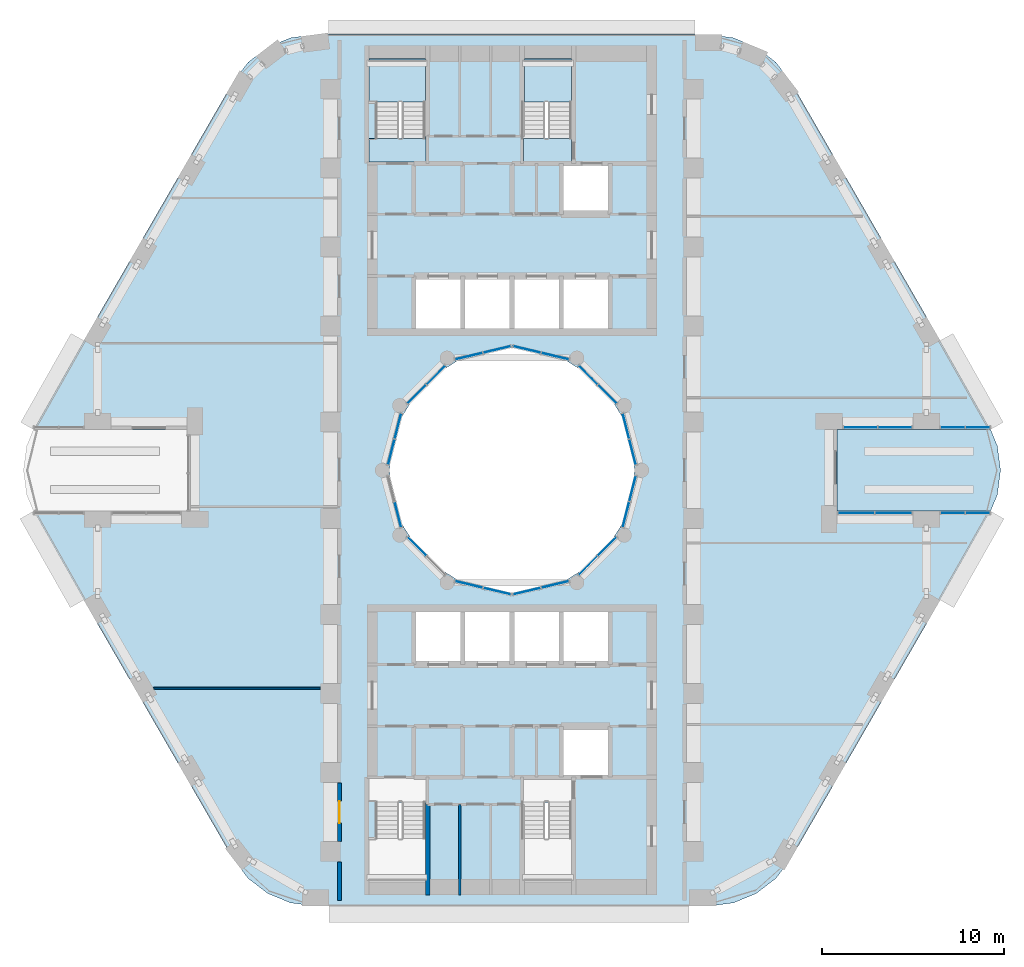
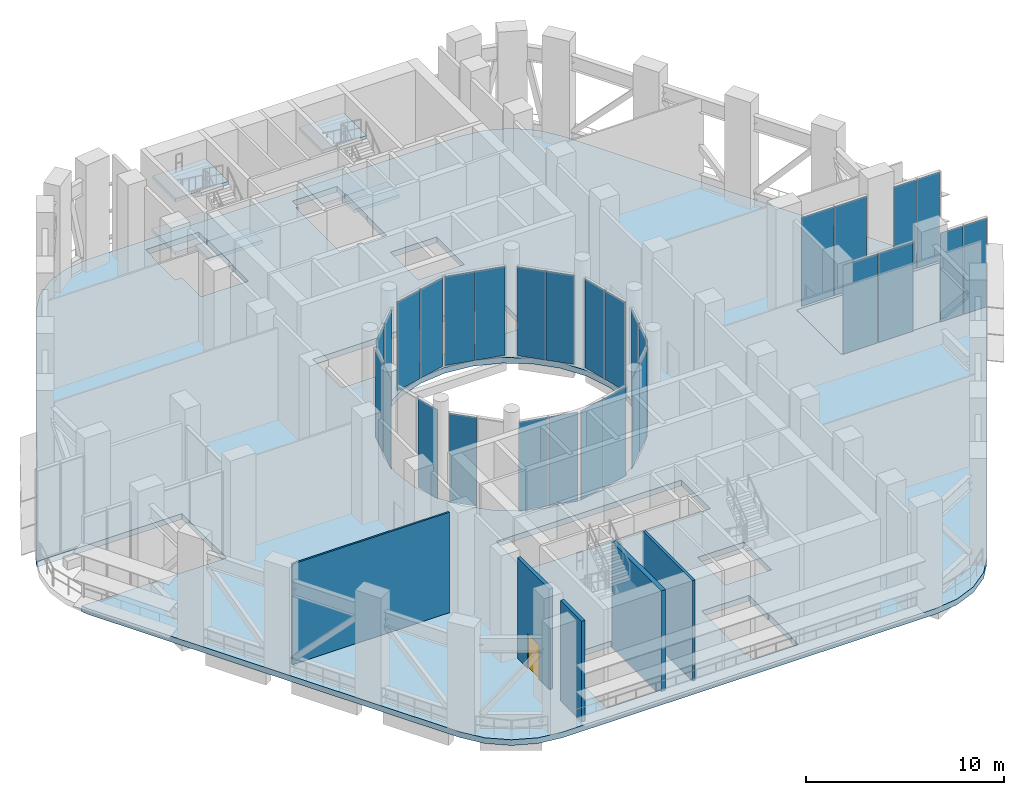
# One storey, part 7 of 20: 30 plates, 8 slabs, 5 walls, 1 door, 1 opening, 18 elements without a shape of their own.
"""IFC4 building model written with IfcOpenShell, lengths in metres."""

from ifc_helpers import new_model, si_unit, direction, frame, frame_2d, origin, origin_2d, place, context, subcontext, project, spatial, polyline, rectangle, outline, extrude, material, layer, layer_set, type_object, element, fill, aggregate, save


model = new_model("IFC4")

# Units and contexts
model_context = context("Model", 3, precision=1e-05, world=origin(), true_north=direction((0.0, 1.0)))
body_context = subcontext(model_context, "Body", "Model", "MODEL_VIEW")
ifc_project = project(units=[si_unit("LENGTHUNIT", "METRE"), si_unit("AREAUNIT", "SQUARE_METRE"), si_unit("VOLUMEUNIT", "CUBIC_METRE"), si_unit("PLANEANGLEUNIT", "RADIAN"), si_unit("MASSUNIT", "GRAM", prefix="KILO")], contexts=[model_context])

# Site, building, storey
site_placement = place(None, origin())
site = spatial("IfcSite", under=ifc_project, at=site_placement, CompositionType="ELEMENT")
building_placement = place(site_placement, origin())
building = spatial("IfcBuilding", under=site, at=building_placement, Name="Nakaniwa Court", CompositionType="ELEMENT")
storey_placement = place(building_placement, frame((0.0, 0.0, 71.10009765625)))
storey = spatial("IfcBuildingStorey", under=building, at=storey_placement, Name="S1", CompositionType="ELEMENT", Elevation=71.10009765625)

# Curtain wall, plates
ifc_material_1 = material(Name="Black anodised aluminium frame with dark low-E laminated double glazing", Category="aluminium")
ifc_layer_1 = layer(ifc_material_1, 0.199951171875)
ifc_layer_set_1 = layer_set([ifc_layer_1], Name="Black anodised aluminium frame with dark low-E laminated double glazing")
curtain_wall_type = type_object("IfcCurtainWallType", Name="Amenity and sky level curtain wall", PredefinedType="NOTDEFINED", material=ifc_layer_set_1)
curtain_wall_1_placement = place(storey_placement, origin())
curtain_wall_1 = element("IfcCurtainWall", 1, at=curtain_wall_1_placement, inside=storey, type_object=curtain_wall_type, Name="S1 curtain wall CW3 36", PredefinedType="NOTDEFINED")
ifc_material_2 = material(Name="Dark toughened glass", Category="glass")
ifc_layer_2 = layer(ifc_material_2, 0.006, Name="Outer pane")
ifc_material_3 = material(Name="Argon filled cavity")
ifc_layer_3 = layer(ifc_material_3, 0.016, Name="Cavity")
ifc_material_4 = material(Name="Dark laminated safety glass", Category="glass")
ifc_layer_4 = layer(ifc_material_4, 0.006, Name="Inner pane")
ifc_layer_set_2 = layer_set([ifc_layer_2, ifc_layer_3, ifc_layer_4], Name="Dark low-E laminated double glazing")
plate_type = type_object("IfcPlateType", Name="Amenity and sky level curtain wall glass panel", PredefinedType="CURTAIN_PANEL", material=ifc_layer_set_2)
plate_1_placement = place(storey_placement, frame((86.64697265625, 78.99365234375, 0.054931640625), z_axis=(0.0, 0.0, 1.0), x_axis=(-0.247113807661, -0.968986463302, 0.0)))
plate_1 = element("IfcPlate", 2, at=plate_1_placement, type_object=plate_type, Name="CW3 panel 1.1", PredefinedType="CURTAIN_PANEL", context=body_context, shape_type="SweptSolid", body=[
    extrude(rectangle(XDim=1.42236328125, YDim=0.028076171875, at=origin_2d()), origin(), (0.0, 0.0, 1.0), 5.47998046875),
])
plate_2_placement = place(storey_placement, frame((86.28173828125, 77.56201171875, 0.054931640625), z_axis=(0.0, 0.0, 1.0), x_axis=(-0.247113807661, -0.968986463302, 0.0)))
plate_2 = element("IfcPlate", 3, at=plate_2_placement, type_object=plate_type, Name="CW3 panel 2.1", PredefinedType="CURTAIN_PANEL", context=body_context, shape_type="SweptSolid", body=[
    extrude(rectangle(XDim=1.42236328125, YDim=0.028076171875, at=origin_2d()), origin(), (0.0, 0.0, 1.0), 5.47998046875),
])
aggregate(curtain_wall_1, [plate_1, plate_2])

curtain_wall_2_placement = place(storey_placement, origin())
curtain_wall_2 = element("IfcCurtainWall", 4, at=curtain_wall_2_placement, inside=storey, type_object=curtain_wall_type, Name="S1 curtain wall CW3 37", PredefinedType="NOTDEFINED")
plate_3_placement = place(storey_placement, frame((85.241943359375, 75.810791015625, 0.054931640625), z_axis=(0.0, 0.0, 1.0), x_axis=(-0.707106781187, -0.707106781187, 0.0)))
plate_3 = element("IfcPlate", 5, at=plate_3_placement, type_object=plate_type, Name="CW3 panel 1.1", PredefinedType="CURTAIN_PANEL", context=body_context, shape_type="SweptSolid", body=[
    extrude(rectangle(XDim=1.43408203125, YDim=0.028076171875, at=origin_2d()), origin(), (0.0, 0.0, 1.0), 5.47998046875),
])
plate_4_placement = place(storey_placement, frame((84.189208984375, 74.758056640625, 0.054931640625), z_axis=(0.0, 0.0, 1.0), x_axis=(-0.707106781187, -0.707106781187, 0.0)))
plate_4 = element("IfcPlate", 6, at=plate_4_placement, type_object=plate_type, Name="CW3 panel 2.1", PredefinedType="CURTAIN_PANEL", context=body_context, shape_type="SweptSolid", body=[
    extrude(rectangle(XDim=1.43408203125, YDim=0.028076171875, at=origin_2d()), origin(), (0.0, 0.0, 1.0), 5.47998046875),
])
aggregate(curtain_wall_2, [plate_3, plate_4])

curtain_wall_3_placement = place(storey_placement, origin())
curtain_wall_3 = element("IfcCurtainWall", 7, at=curtain_wall_3_placement, inside=storey, type_object=curtain_wall_type, Name="S1 curtain wall CW3 38", PredefinedType="NOTDEFINED")
plate_5_placement = place(storey_placement, frame((82.377685546875, 73.713623046875, 0.054931640625), z_axis=(0.0, 0.0, 1.0), x_axis=(-0.972765537081, -0.231791306712, 0.0)))
plate_5 = element("IfcPlate", 8, at=plate_5_placement, type_object=plate_type, Name="CW3 panel 1.1", PredefinedType="CURTAIN_PANEL", context=body_context, shape_type="SweptSolid", body=[
    extrude(rectangle(XDim=1.540283203125, YDim=0.028076171875, at=origin_2d()), origin(), (0.0, 0.0, 1.0), 5.47998046875),
])
plate_6_placement = place(storey_placement, frame((80.825927734375, 73.343994140625, 0.054931640625), z_axis=(0.0, 0.0, 1.0), x_axis=(-0.972765537081, -0.231791306712, 0.0)))
plate_6 = element("IfcPlate", 9, at=plate_6_placement, type_object=plate_type, Name="CW3 panel 2.1", PredefinedType="CURTAIN_PANEL", context=body_context, shape_type="SweptSolid", body=[
    extrude(rectangle(XDim=1.540283203125, YDim=0.028076171875, at=origin_2d()), origin(), (0.0, 0.0, 1.0), 5.47998046875),
])
aggregate(curtain_wall_3, [plate_5, plate_6])

curtain_wall_4_placement = place(storey_placement, origin())
curtain_wall_4 = element("IfcCurtainWall", 10, at=curtain_wall_4_placement, inside=storey, type_object=curtain_wall_type, Name="S1 curtain wall CW3 39", PredefinedType="NOTDEFINED")
plate_7_placement = place(storey_placement, frame((79.174072265625, 73.343994140625, 0.054931640625), z_axis=(0.0, 0.0, 1.0), x_axis=(-0.972765537081, 0.231791306712, 0.0)))
plate_7 = element("IfcPlate", 11, at=plate_7_placement, type_object=plate_type, Name="CW3 panel 1.1", PredefinedType="CURTAIN_PANEL", context=body_context, shape_type="SweptSolid", body=[
    extrude(rectangle(XDim=1.540283203125, YDim=0.028076171875, at=origin_2d()), origin(), (0.0, 0.0, 1.0), 5.47998046875),
])
plate_8_placement = place(storey_placement, frame((77.622314453125, 73.713623046875, 0.054931640625), z_axis=(0.0, 0.0, 1.0), x_axis=(-0.972765537081, 0.231791306712, 0.0)))
plate_8 = element("IfcPlate", 12, at=plate_8_placement, type_object=plate_type, Name="CW3 panel 2.1", PredefinedType="CURTAIN_PANEL", context=body_context, shape_type="SweptSolid", body=[
    extrude(rectangle(XDim=1.540283203125, YDim=0.028076171875, at=origin_2d()), origin(), (0.0, 0.0, 1.0), 5.47998046875),
])
aggregate(curtain_wall_4, [plate_7, plate_8])

# Curtain wall, plate
curtain_wall_5_placement = place(storey_placement, origin())
curtain_wall_5 = element("IfcCurtainWall", 13, at=curtain_wall_5_placement, inside=storey, type_object=curtain_wall_type, Name="S1 curtain wall CW3 40", PredefinedType="NOTDEFINED")
plate_9_placement = place(storey_placement, frame((74.758056640625, 75.810791015625, 0.054931640625), z_axis=(0.0, 0.0, 1.0), x_axis=(-0.707106781187, 0.707106781187, 0.0)))
plate_9 = element("IfcPlate", 14, at=plate_9_placement, type_object=plate_type, Name="CW3 panel 2.1", PredefinedType="CURTAIN_PANEL", context=body_context, shape_type="SweptSolid", body=[
    extrude(rectangle(XDim=1.43408203125, YDim=0.028076171875, at=origin_2d()), origin(), (0.0, 0.0, 1.0), 5.47998046875),
])
aggregate(curtain_wall_5, [plate_9])

curtain_wall_6_placement = place(storey_placement, origin())
curtain_wall_6 = element("IfcCurtainWall", 15, at=curtain_wall_6_placement, inside=storey, type_object=curtain_wall_type, Name="S1 curtain wall CW3 41", PredefinedType="NOTDEFINED")
plate_10_placement = place(storey_placement, frame((73.71826171875, 77.56201171875, 0.054931640625), z_axis=(0.0, 0.0, 1.0), x_axis=(-0.247113807661, 0.968986463302, 0.0)))
plate_10 = element("IfcPlate", 16, at=plate_10_placement, type_object=plate_type, Name="CW3 panel 1.1", PredefinedType="CURTAIN_PANEL", context=body_context, shape_type="SweptSolid", body=[
    extrude(rectangle(XDim=1.42236328125, YDim=0.028076171875, at=origin_2d()), origin(), (0.0, 0.0, 1.0), 5.47998046875),
])
aggregate(curtain_wall_6, [plate_10])

# Curtain wall, plates
curtain_wall_7_placement = place(storey_placement, origin())
curtain_wall_7 = element("IfcCurtainWall", 17, at=curtain_wall_7_placement, inside=storey, type_object=curtain_wall_type, Name="S1 curtain wall CW3 42", PredefinedType="NOTDEFINED")
plate_11_placement = place(storey_placement, frame((73.35302734375, 81.00634765625, 0.054931640625), z_axis=(0.0, 0.0, 1.0), x_axis=(0.247113807661, 0.968986463302, 0.0)))
plate_11 = element("IfcPlate", 18, at=plate_11_placement, type_object=plate_type, Name="CW3 panel 1.1", PredefinedType="CURTAIN_PANEL", context=body_context, shape_type="SweptSolid", body=[
    extrude(rectangle(XDim=1.42236328125, YDim=0.028076171875, at=origin_2d()), origin(), (0.0, 0.0, 1.0), 5.47998046875),
])
plate_12_placement = place(storey_placement, frame((73.71826171875, 82.43798828125, 0.054931640625), z_axis=(0.0, 0.0, 1.0), x_axis=(0.247113807661, 0.968986463302, 0.0)))
plate_12 = element("IfcPlate", 19, at=plate_12_placement, type_object=plate_type, Name="CW3 panel 2.1", PredefinedType="CURTAIN_PANEL", context=body_context, shape_type="SweptSolid", body=[
    extrude(rectangle(XDim=1.42236328125, YDim=0.028076171875, at=origin_2d()), origin(), (0.0, 0.0, 1.0), 5.47998046875),
])
aggregate(curtain_wall_7, [plate_11, plate_12])

curtain_wall_8_placement = place(storey_placement, origin())
curtain_wall_8 = element("IfcCurtainWall", 20, at=curtain_wall_8_placement, inside=storey, type_object=curtain_wall_type, Name="S1 curtain wall CW3 43", PredefinedType="NOTDEFINED")
plate_13_placement = place(storey_placement, frame((74.758056640625, 84.189208984375, 0.054931640625), z_axis=(0.0, 0.0, 1.0), x_axis=(0.707106781187, 0.707106781187, 0.0)))
plate_13 = element("IfcPlate", 21, at=plate_13_placement, type_object=plate_type, Name="CW3 panel 1.1", PredefinedType="CURTAIN_PANEL", context=body_context, shape_type="SweptSolid", body=[
    extrude(rectangle(XDim=1.43408203125, YDim=0.028076171875, at=origin_2d()), origin(), (0.0, 0.0, 1.0), 5.47998046875),
])
plate_14_placement = place(storey_placement, frame((75.810791015625, 85.241943359375, 0.054931640625), z_axis=(0.0, 0.0, 1.0), x_axis=(0.707106781187, 0.707106781187, 0.0)))
plate_14 = element("IfcPlate", 22, at=plate_14_placement, type_object=plate_type, Name="CW3 panel 2.1", PredefinedType="CURTAIN_PANEL", context=body_context, shape_type="SweptSolid", body=[
    extrude(rectangle(XDim=1.43408203125, YDim=0.028076171875, at=origin_2d()), origin(), (0.0, 0.0, 1.0), 5.47998046875),
])
aggregate(curtain_wall_8, [plate_13, plate_14])

curtain_wall_9_placement = place(storey_placement, origin())
curtain_wall_9 = element("IfcCurtainWall", 23, at=curtain_wall_9_placement, inside=storey, type_object=curtain_wall_type, Name="S1 curtain wall CW3 44", PredefinedType="NOTDEFINED")
plate_15_placement = place(storey_placement, frame((77.622314453125, 86.286376953125, 0.054931640625), z_axis=(0.0, 0.0, 1.0), x_axis=(0.972765537081, 0.231791306712, 0.0)))
plate_15 = element("IfcPlate", 24, at=plate_15_placement, type_object=plate_type, Name="CW3 panel 1.1", PredefinedType="CURTAIN_PANEL", context=body_context, shape_type="SweptSolid", body=[
    extrude(rectangle(XDim=1.540283203125, YDim=0.028076171875, at=origin_2d()), origin(), (0.0, 0.0, 1.0), 5.47998046875),
])
plate_16_placement = place(storey_placement, frame((79.174072265625, 86.656005859375, 0.054931640625), z_axis=(0.0, 0.0, 1.0), x_axis=(0.972765537081, 0.231791306712, 0.0)))
plate_16 = element("IfcPlate", 25, at=plate_16_placement, type_object=plate_type, Name="CW3 panel 2.1", PredefinedType="CURTAIN_PANEL", context=body_context, shape_type="SweptSolid", body=[
    extrude(rectangle(XDim=1.540283203125, YDim=0.028076171875, at=origin_2d()), origin(), (0.0, 0.0, 1.0), 5.47998046875),
])
aggregate(curtain_wall_9, [plate_15, plate_16])

curtain_wall_10_placement = place(storey_placement, origin())
curtain_wall_10 = element("IfcCurtainWall", 26, at=curtain_wall_10_placement, inside=storey, type_object=curtain_wall_type, Name="S1 curtain wall CW3 45", PredefinedType="NOTDEFINED")
plate_17_placement = place(storey_placement, frame((80.825927734375, 86.656005859375, 0.054931640625), z_axis=(0.0, 0.0, 1.0), x_axis=(0.972765537081, -0.231791306712, 0.0)))
plate_17 = element("IfcPlate", 27, at=plate_17_placement, type_object=plate_type, Name="CW3 panel 1.1", PredefinedType="CURTAIN_PANEL", context=body_context, shape_type="SweptSolid", body=[
    extrude(rectangle(XDim=1.540283203125, YDim=0.028076171875, at=origin_2d()), origin(), (0.0, 0.0, 1.0), 5.47998046875),
])
plate_18_placement = place(storey_placement, frame((82.377685546875, 86.286376953125, 0.054931640625), z_axis=(0.0, 0.0, 1.0), x_axis=(0.972765537081, -0.231791306712, 0.0)))
plate_18 = element("IfcPlate", 28, at=plate_18_placement, type_object=plate_type, Name="CW3 panel 2.1", PredefinedType="CURTAIN_PANEL", context=body_context, shape_type="SweptSolid", body=[
    extrude(rectangle(XDim=1.540283203125, YDim=0.028076171875, at=origin_2d()), origin(), (0.0, 0.0, 1.0), 5.47998046875),
])
aggregate(curtain_wall_10, [plate_17, plate_18])

curtain_wall_11_placement = place(storey_placement, origin())
curtain_wall_11 = element("IfcCurtainWall", 29, at=curtain_wall_11_placement, inside=storey, type_object=curtain_wall_type, Name="S1 curtain wall CW3 46", PredefinedType="NOTDEFINED")
plate_19_placement = place(storey_placement, frame((84.189208984375, 85.241943359375, 0.054931640625), z_axis=(0.0, 0.0, 1.0), x_axis=(0.707106781187, -0.707106781187, 0.0)))
plate_19 = element("IfcPlate", 30, at=plate_19_placement, type_object=plate_type, Name="CW3 panel 1.1", PredefinedType="CURTAIN_PANEL", context=body_context, shape_type="SweptSolid", body=[
    extrude(rectangle(XDim=1.43408203125, YDim=0.028076171875, at=origin_2d()), origin(), (0.0, 0.0, 1.0), 5.47998046875),
])
plate_20_placement = place(storey_placement, frame((85.241943359375, 84.189208984375, 0.054931640625), z_axis=(0.0, 0.0, 1.0), x_axis=(0.707106781187, -0.707106781187, 0.0)))
plate_20 = element("IfcPlate", 31, at=plate_20_placement, type_object=plate_type, Name="CW3 panel 2.1", PredefinedType="CURTAIN_PANEL", context=body_context, shape_type="SweptSolid", body=[
    extrude(rectangle(XDim=1.43408203125, YDim=0.028076171875, at=origin_2d()), origin(), (0.0, 0.0, 1.0), 5.47998046875),
])
aggregate(curtain_wall_11, [plate_19, plate_20])

curtain_wall_12_placement = place(storey_placement, origin())
curtain_wall_12 = element("IfcCurtainWall", 32, at=curtain_wall_12_placement, inside=storey, type_object=curtain_wall_type, Name="S1 curtain wall CW3 47", PredefinedType="NOTDEFINED")
plate_21_placement = place(storey_placement, frame((86.28173828125, 82.43798828125, 0.054931640625), z_axis=(0.0, 0.0, 1.0), x_axis=(0.247113807661, -0.968986463302, 0.0)))
plate_21 = element("IfcPlate", 33, at=plate_21_placement, type_object=plate_type, Name="CW3 panel 1.1", PredefinedType="CURTAIN_PANEL", context=body_context, shape_type="SweptSolid", body=[
    extrude(rectangle(XDim=1.42236328125, YDim=0.028076171875, at=origin_2d()), origin(), (0.0, 0.0, 1.0), 5.47998046875),
])
plate_22_placement = place(storey_placement, frame((86.64697265625, 81.00634765625, 0.054931640625), z_axis=(0.0, 0.0, 1.0), x_axis=(0.247113807661, -0.968986463302, 0.0)))
plate_22 = element("IfcPlate", 34, at=plate_22_placement, type_object=plate_type, Name="CW3 panel 2.1", PredefinedType="CURTAIN_PANEL", context=body_context, shape_type="SweptSolid", body=[
    extrude(rectangle(XDim=1.42236328125, YDim=0.028076171875, at=origin_2d()), origin(), (0.0, 0.0, 1.0), 5.47998046875),
])
aggregate(curtain_wall_12, [plate_21, plate_22])

curtain_wall_13_placement = place(storey_placement, origin())
curtain_wall_13 = element("IfcCurtainWall", 35, at=curtain_wall_13_placement, inside=storey, type_object=curtain_wall_type, Name="S1 curtain wall CW3 00", PredefinedType="NOTDEFINED")
plate_23_placement = place(storey_placement, frame((99.186279296875, 82.35009765625, 0.054931640625), z_axis=(0.0, 0.0, 1.0), x_axis=(1.0, 0.0, 0.0)))
plate_23 = element("IfcPlate", 36, at=plate_23_placement, type_object=plate_type, Name="CW3 panel 1.1", PredefinedType="CURTAIN_PANEL", context=body_context, shape_type="SweptSolid", body=[
    extrude(rectangle(XDim=1.853759765625, YDim=0.028076171875, at=origin_2d()), origin(), (0.0, 0.0, 1.0), 5.47998046875),
])
plate_24_placement = place(storey_placement, frame((101.094970703125, 82.35009765625, 0.054931640625), z_axis=(0.0, 0.0, 1.0), x_axis=(1.0, 0.0, 0.0)))
plate_24 = element("IfcPlate", 37, at=plate_24_placement, type_object=plate_type, Name="CW3 panel 2.1", PredefinedType="CURTAIN_PANEL", context=body_context, shape_type="SweptSolid", body=[
    extrude(rectangle(XDim=1.853759765625, YDim=0.028076171875, at=origin_2d()), origin(), (0.0, 0.0, 1.0), 5.47998046875),
])
aggregate(curtain_wall_13, [plate_23, plate_24])

curtain_wall_14_placement = place(storey_placement, origin())
curtain_wall_14 = element("IfcCurtainWall", 38, at=curtain_wall_14_placement, inside=storey, type_object=curtain_wall_type, Name="S1 curtain wall CW3 01", PredefinedType="NOTDEFINED")
plate_25_placement = place(storey_placement, frame((104.279541015625, 82.35009765625, 0.054931640625), z_axis=(0.0, 0.0, 1.0), x_axis=(1.0, 0.0, 0.0)))
plate_25 = element("IfcPlate", 39, at=plate_25_placement, type_object=plate_type, Name="CW3 panel 1.1", PredefinedType="CURTAIN_PANEL", context=body_context, shape_type="SweptSolid", body=[
    extrude(rectangle(XDim=1.311279296875, YDim=0.028076171875, at=origin_2d()), origin(), (0.0, 0.0, 1.0), 5.47998046875),
])
plate_26_placement = place(storey_placement, frame((105.64599609375, 82.35009765625, 0.054931640625), z_axis=(0.0, 0.0, 1.0), x_axis=(1.0, 0.0, 0.0)))
plate_26 = element("IfcPlate", 40, at=plate_26_placement, type_object=plate_type, Name="CW3 panel 2.1", PredefinedType="CURTAIN_PANEL", context=body_context, shape_type="SweptSolid", body=[
    extrude(rectangle(XDim=1.311279296875, YDim=0.028076171875, at=origin_2d()), origin(), (0.0, 0.0, 1.0), 5.47998046875),
])
aggregate(curtain_wall_14, [plate_25, plate_26])

curtain_wall_15_placement = place(storey_placement, origin())
curtain_wall_15 = element("IfcCurtainWall", 41, at=curtain_wall_15_placement, inside=storey, type_object=curtain_wall_type, Name="S1 curtain wall CW3 33", PredefinedType="NOTDEFINED")
plate_27_placement = place(storey_placement, frame((105.64599609375, 77.64990234375, 0.054931640625), z_axis=(0.0, 0.0, 1.0), x_axis=(-1.0, 0.0, 0.0)))
plate_27 = element("IfcPlate", 42, at=plate_27_placement, type_object=plate_type, Name="CW3 panel 1.1", PredefinedType="CURTAIN_PANEL", context=body_context, shape_type="SweptSolid", body=[
    extrude(rectangle(XDim=1.311279296875, YDim=0.028076171875, at=origin_2d()), origin(), (0.0, 0.0, 1.0), 5.47998046875),
])
plate_28_placement = place(storey_placement, frame((104.279541015625, 77.64990234375, 0.054931640625), z_axis=(0.0, 0.0, 1.0), x_axis=(-1.0, 0.0, 0.0)))
plate_28 = element("IfcPlate", 43, at=plate_28_placement, type_object=plate_type, Name="CW3 panel 2.1", PredefinedType="CURTAIN_PANEL", context=body_context, shape_type="SweptSolid", body=[
    extrude(rectangle(XDim=1.311279296875, YDim=0.028076171875, at=origin_2d()), origin(), (0.0, 0.0, 1.0), 5.47998046875),
])
aggregate(curtain_wall_15, [plate_27, plate_28])

curtain_wall_16_placement = place(storey_placement, origin())
curtain_wall_16 = element("IfcCurtainWall", 44, at=curtain_wall_16_placement, inside=storey, type_object=curtain_wall_type, Name="S1 curtain wall CW3 34", PredefinedType="NOTDEFINED")
plate_29_placement = place(storey_placement, frame((101.02001953125, 77.64990234375, 0.054931640625), z_axis=(0.0, 0.0, 1.0), x_axis=(-1.0, 0.0, 0.0)))
plate_29 = element("IfcPlate", 45, at=plate_29_placement, type_object=plate_type, Name="CW3 panel 1.1", PredefinedType="CURTAIN_PANEL", context=body_context, shape_type="SweptSolid", body=[
    extrude(rectangle(XDim=2.003662109375, YDim=0.028076171875, at=origin_2d()), origin(), (0.0, 0.0, 1.0), 5.47998046875),
])
plate_30_placement = place(storey_placement, frame((98.961181640625, 77.64990234375, 0.054931640625), z_axis=(0.0, 0.0, 1.0), x_axis=(-1.0, 0.0, 0.0)))
plate_30 = element("IfcPlate", 46, at=plate_30_placement, type_object=plate_type, Name="CW3 panel 2.1", PredefinedType="CURTAIN_PANEL", context=body_context, shape_type="SweptSolid", body=[
    extrude(rectangle(XDim=2.003662109375, YDim=0.028076171875, at=origin_2d()), origin(), (0.0, 0.0, 1.0), 5.47998046875),
])
aggregate(curtain_wall_16, [plate_29, plate_30])

# Slabs
ifc_material_5 = material(Name="Concrete C80/100", Category="concrete")
ifc_layer_5 = layer(ifc_material_5, 0.35009765625)
ifc_layer_set_3 = layer_set([ifc_layer_5], Name="Concrete C80/100")
slab_type_1 = type_object("IfcSlabType", Name="Concrete C80/100 post tensioned floor slab 350", PredefinedType="FLOOR", material=ifc_layer_set_3)
slab_1_placement = place(storey_placement, frame((0.0, 0.0, -0.35009765625)))
element("IfcSlab", 47, at=slab_1_placement, inside=storey, type_object=slab_type_1, Name="FLOOR SLAB", PredefinedType="FLOOR", context=body_context, shape_type="SweptSolid", body=[
    extrude(outline(polyline([(97.908447265625, 82.25), (106.356689453125, 82.25), (106.211669921875, 82.60009765625), (95.357421875, 101.39990234375), (94.531005859375, 102.47705078125), (93.4541015625, 103.30322265625), (92.199951171875, 103.82275390625), (90.854248046875, 104.0), (69.145751953125, 104.0), (67.800048828125, 103.82275390625), (66.5458984375, 103.30322265625), (65.468994140625, 102.47705078125), (64.642578125, 101.39990234375), (53.788330078125, 82.60009765625), (53.643310546875, 82.25), (62.091552734375, 82.25), (62.091552734375, 77.75), (53.643310546875, 77.75), (53.788330078125, 77.39990234375), (64.642578125, 58.60009765625), (65.468994140625, 57.52294921875), (66.5458984375, 56.69677734375), (67.800048828125, 56.17724609375), (69.145751953125, 56.0), (90.854248046875, 56.0), (92.199951171875, 56.17724609375), (93.4541015625, 56.69677734375), (94.531005859375, 57.52294921875), (95.357421875, 58.60009765625), (106.211669921875, 77.39990234375), (106.356689453125, 77.75), (97.908447265625, 77.75), (97.908447265625, 82.25)]), holes=[polyline([(81.501953125, 86.580810546875), (80.0, 86.75), (78.498046875, 86.580810546875), (77.0712890625, 86.08154296875), (75.79150390625, 85.27734375), (74.72265625, 84.20849609375), (73.91845703125, 82.9287109375), (73.419189453125, 81.501953125), (73.25, 80.0), (73.419189453125, 78.498046875), (73.91845703125, 77.0712890625), (74.72265625, 75.79150390625), (75.79150390625, 74.72265625), (77.0712890625, 73.91845703125), (78.498046875, 73.419189453125), (80.0, 73.25), (81.501953125, 73.419189453125), (82.9287109375, 73.91845703125), (84.20849609375, 74.72265625), (85.27734375, 75.79150390625), (86.08154296875, 77.0712890625), (86.580810546875, 78.498046875), (86.75, 80.0), (86.580810546875, 81.501953125), (86.08154296875, 82.9287109375), (85.27734375, 84.20849609375), (84.20849609375, 85.27734375), (82.9287109375, 86.08154296875), (81.501953125, 86.580810546875)]), polyline([(75.264892578125, 57.4599609375), (75.264892578125, 59.764892578125), (75.22509765625, 59.764892578125), (75.22509765625, 61.7099609375), (72.47509765625, 61.7099609375), (72.47509765625, 59.764892578125), (72.0849609375, 59.764892578125), (72.0849609375, 57.4599609375), (72.125, 57.4599609375), (72.125, 56.72509765625), (75.22509765625, 56.72509765625), (75.22509765625, 57.324951171875), (75.22509765625, 57.4599609375), (75.264892578125, 57.4599609375)]), polyline([(80.0, 69.300048828125), (82.699951171875, 69.300048828125), (85.39990234375, 69.300048828125), (85.39990234375, 72.199951171875), (82.699951171875, 72.199951171875), (80.0, 72.199951171875), (77.300048828125, 72.199951171875), (74.60009765625, 72.199951171875), (74.60009765625, 69.300048828125), (77.300048828125, 69.300048828125), (80.0, 69.300048828125)]), polyline([(80.0, 87.800048828125), (82.699951171875, 87.800048828125), (85.39990234375, 87.800048828125), (85.39990234375, 90.699951171875), (82.699951171875, 90.699951171875), (80.0, 90.699951171875), (77.300048828125, 90.699951171875), (74.60009765625, 90.699951171875), (74.60009765625, 87.800048828125), (77.300048828125, 87.800048828125), (80.0, 87.800048828125)]), polyline([(75.264892578125, 100.235107421875), (75.264892578125, 102.5400390625), (75.22509765625, 102.5400390625), (75.22509765625, 102.675048828125), (75.22509765625, 103.27490234375), (72.125, 103.27490234375), (72.125, 102.5400390625), (72.0849609375, 102.5400390625), (72.0849609375, 100.235107421875), (72.47509765625, 100.235107421875), (72.47509765625, 98.2900390625), (75.22509765625, 98.2900390625), (75.22509765625, 100.235107421875), (75.264892578125, 100.235107421875)]), polyline([(83.27490234375, 61.7099609375), (80.52490234375, 61.7099609375), (80.52490234375, 57.324951171875), (80.675048828125, 57.324951171875), (80.675048828125, 56.72509765625), (83.27490234375, 56.72509765625), (83.27490234375, 57.324951171875), (83.27490234375, 57.4599609375), (83.31494140625, 57.4599609375), (83.31494140625, 59.764892578125), (83.27490234375, 59.764892578125), (83.27490234375, 61.7099609375)]), polyline([(85.39990234375, 65.89990234375), (82.699951171875, 65.89990234375), (82.699951171875, 63.10009765625), (85.39990234375, 63.10009765625), (85.39990234375, 65.89990234375)]), polyline([(85.39990234375, 96.89990234375), (82.699951171875, 96.89990234375), (82.699951171875, 94.10009765625), (85.39990234375, 94.10009765625), (85.39990234375, 96.89990234375)]), polyline([(83.27490234375, 100.235107421875), (83.31494140625, 100.235107421875), (83.31494140625, 102.5400390625), (83.27490234375, 102.5400390625), (83.27490234375, 102.675048828125), (83.27490234375, 103.27490234375), (80.675048828125, 103.27490234375), (80.675048828125, 102.675048828125), (80.52490234375, 102.675048828125), (80.52490234375, 98.2900390625), (83.27490234375, 98.2900390625), (83.27490234375, 100.235107421875)])]), origin(), (0.0, 0.0, 1.0), 0.35009765625),
])
slab_2_placement = place(storey_placement, frame((0.0, 0.0, -0.35009765625)))
element("IfcSlab", 48, at=slab_2_placement, inside=storey, type_object=slab_type_1, Name="BRIDGING TERRACE", PredefinedType="FLOOR", context=body_context, shape_type="SweptSolid", body=[
    extrude(outline(polyline([(97.908447265625, 77.75), (106.356689453125, 77.75), (106.731201171875, 78.654052734375), (106.908447265625, 80.0), (106.731201171875, 81.345947265625), (106.356689453125, 82.25), (97.908447265625, 82.25), (97.908447265625, 77.75)])), origin(), (0.0, 0.0, 1.0), 0.35009765625),
])

# Stair, slabs
stair_type = type_object("IfcStairType", Name="Dog leg stair 1300 wide 36 risers", PredefinedType="HALF_TURN_STAIR", material=ifc_material_5)
stair_1_placement = place(storey_placement, origin())
stair_1 = element("IfcStair", 49, at=stair_1_placement, inside=storey, type_object=stair_type, Name="S1 Stair ST1", PredefinedType="HALF_TURN_STAIR")
ifc_layer_6 = layer(ifc_material_5, 0.199951171875)
ifc_layer_set_4 = layer_set([ifc_layer_6], Name="Concrete C80/100")
slab_type_2 = type_object("IfcSlabType", Name="Stair landing concrete", PredefinedType="LANDING", material=ifc_layer_set_4)
slab_3_placement = place(storey_placement, frame((0.0, 0.0, 1.449951171875)))
slab_3 = element("IfcSlab", 50, at=slab_3_placement, type_object=slab_type_2, Name="ST1 landing 1", PredefinedType="LANDING", context=body_context, shape_type="SweptSolid", body=[
    extrude(outline(polyline([(75.22509765625, 100.27490234375), (75.22509765625, 102.675048828125), (72.125, 102.675048828125), (72.125, 100.27490234375), (75.22509765625, 100.27490234375)])), origin(), (0.0, 0.0, 1.0), 0.199951171875),
])
slab_4_placement = place(storey_placement, frame((0.0, 0.0, 3.099853515625)))
slab_4 = element("IfcSlab", 51, at=slab_4_placement, type_object=slab_type_2, Name="ST1 landing 2", PredefinedType="LANDING", context=body_context, shape_type="SweptSolid", body=[
    extrude(outline(polyline([(75.27490234375, 96.97509765625), (75.27490234375, 98.27490234375), (72.125, 98.27490234375), (72.125, 96.97509765625), (75.27490234375, 96.97509765625)])), origin(), (0.0, 0.0, 1.0), 0.199951171875),
])
slab_5_placement = place(storey_placement, frame((0.0, 0.0, 4.75)))
slab_5 = element("IfcSlab", 52, at=slab_5_placement, type_object=slab_type_2, Name="ST1 landing 3", PredefinedType="LANDING", context=body_context, shape_type="SweptSolid", body=[
    extrude(outline(polyline([(75.22509765625, 100.27490234375), (75.22509765625, 102.60009765625), (72.125, 102.60009765625), (72.125, 100.27490234375), (75.22509765625, 100.27490234375)])), origin(), (0.0, 0.0, 1.0), 0.199951171875),
])
aggregate(stair_1, [slab_3, slab_4, slab_5])

stair_2_placement = place(storey_placement, origin())
stair_2 = element("IfcStair", 53, at=stair_2_placement, inside=storey, type_object=stair_type, Name="S1 Stair ST2", PredefinedType="HALF_TURN_STAIR")
slab_6_placement = place(storey_placement, frame((0.0, 0.0, 1.449951171875)))
slab_6 = element("IfcSlab", 54, at=slab_6_placement, type_object=slab_type_2, Name="ST2 landing 1", PredefinedType="LANDING", context=body_context, shape_type="SweptSolid", body=[
    extrude(outline(polyline([(83.27490234375, 100.27490234375), (83.27490234375, 102.675048828125), (80.675048828125, 102.675048828125), (80.675048828125, 100.27490234375), (83.27490234375, 100.27490234375)])), origin(), (0.0, 0.0, 1.0), 0.199951171875),
])
slab_7_placement = place(storey_placement, frame((0.0, 0.0, 3.099853515625)))
slab_7 = element("IfcSlab", 55, at=slab_7_placement, type_object=slab_type_2, Name="ST2 landing 2", PredefinedType="LANDING", context=body_context, shape_type="SweptSolid", body=[
    extrude(outline(polyline([(83.27490234375, 96.97509765625), (83.27490234375, 98.27490234375), (80.625, 98.27490234375), (80.625, 96.97509765625), (83.27490234375, 96.97509765625)])), origin(), (0.0, 0.0, 1.0), 0.199951171875),
])
slab_8_placement = place(storey_placement, frame((0.0, 0.0, 4.75)))
slab_8 = element("IfcSlab", 56, at=slab_8_placement, type_object=slab_type_2, Name="ST2 landing 3", PredefinedType="LANDING", context=body_context, shape_type="SweptSolid", body=[
    extrude(outline(polyline([(83.27490234375, 100.27490234375), (83.27490234375, 102.60009765625), (80.675048828125, 102.60009765625), (80.675048828125, 100.27490234375), (83.27490234375, 100.27490234375)])), origin(), (0.0, 0.0, 1.0), 0.199951171875),
])
aggregate(stair_2, [slab_6, slab_7, slab_8])

# Wall
ifc_material_6 = material(Name="Acoustic double stud partition")
ifc_layer_7 = layer(ifc_material_6, 0.199951171875)
ifc_layer_set_5 = layer_set([ifc_layer_7], Name="Acoustic double stud partition")
wall_type_1 = type_object("IfcWallType", Name="Acoustic double stud partition 200", PredefinedType="PARTITIONING", material=ifc_layer_set_5)
wall_1_placement = place(storey_placement, frame((70.5, 56.300048828125, 0.0), z_axis=(0.0, 0.0, 1.0), x_axis=(0.0, 1.0, 0.0)))
element("IfcWall", 57, at=wall_1_placement, inside=storey, type_object=wall_type_1, Name="Partition PW-086", PredefinedType="PARTITIONING", context=body_context, shape_type="SweptSolid", body=[
    extrude(rectangle(XDim=2.133056640625, YDim=0.199951171875, at=frame_2d((1.06640625, 0.0))), origin(), (0.0, 0.0, 1.0), 6.18994140625),
])

# Wall, opening, door
wall_2_placement = place(storey_placement, frame((70.5, 59.56689453125, 0.0), z_axis=(0.0, 0.0, 1.0), x_axis=(0.0, 1.0, 0.0)))
wall_2 = element("IfcWall", 58, at=wall_2_placement, inside=storey, type_object=wall_type_1, Name="Partition PW-087", PredefinedType="PARTITIONING", context=body_context, shape_type="SweptSolid", body=[
    extrude(rectangle(XDim=3.216064453125, YDim=0.199951171875, at=frame_2d((1.60791015625, 0.0))), origin(), (0.0, 0.0, 1.0), 6.18994140625),
])
opening_placement = place(wall_2_placement, frame((1.008056640625, 0.0, 0.0)))
opening = element("IfcOpeningElement", 59, at=opening_placement, cuts=wall_2, Name="Opening D-35-03", PredefinedType="OPENING", context=body_context, shape_type="SweptSolid", body=[
    extrude(rectangle(XDim=1.199951171875, YDim=2.10009765625, at=frame_2d((0.60009765625, 1.050048828125))), frame((0.0, 0.10986328125, 0.0), z_axis=(0.0, -1.0, 0.0), x_axis=(1.0, 0.0, 0.0)), (0.0, 0.0, 1.0), 0.219970703125),
])
ifc_material_7 = material(Name="Fire rated steel door set", Category="steel")
door_type = type_object("IfcDoorType", Name="Service room door 1200", OperationType="NOTDEFINED", PredefinedType="DOOR", material=ifc_material_7)
door_placement = place(opening_placement, origin())
door = element("IfcDoor", 60, at=door_placement, inside=storey, type_object=door_type, Name="Door D-35-03 S1-034", OperationType="SINGLE_SWING_LEFT", OverallHeight=2.10009765625, OverallWidth=1.199951171875, PredefinedType="DOOR", context=body_context, shape_type="SweptSolid", body=[
    extrude(rectangle(XDim=1.199951171875, YDim=2.10009765625, at=frame_2d((0.60009765625, 1.050048828125))), frame((0.0, 0.02490234375, 0.0), z_axis=(0.0, -1.0, 0.0), x_axis=(1.0, 0.0, 0.0)), (0.0, 0.0, 1.0), 0.050048828125),
])
fill(opening, door)

# Walls
ifc_material_8 = material(Name="Blockwork partition", Category="masonry")
ifc_layer_8 = layer(ifc_material_8, 0.14990234375)
ifc_layer_set_6 = layer_set([ifc_layer_8], Name="Blockwork partition")
wall_type_2 = type_object("IfcWallType", Name="Blockwork partition 150", PredefinedType="PARTITIONING", material=ifc_layer_set_6)
wall_3_placement = place(storey_placement, frame((77.117919921875, 56.60009765625, 0.0), z_axis=(0.0, 0.0, 1.0), x_axis=(0.0, 1.0, 0.0)))
element("IfcWall", 61, at=wall_3_placement, inside=storey, type_object=wall_type_2, Name="Partition PW-069", PredefinedType="PARTITIONING", context=body_context, shape_type="SweptSolid", body=[
    extrude(rectangle(XDim=5.0, YDim=0.14990234375, at=frame_2d((2.5, 0.0))), origin(), (0.0, 0.0, 1.0), 6.18994140625),
])
ifc_material_9 = material(Name="Concrete C100/115", Category="concrete")
ifc_layer_9 = layer(ifc_material_9, 0.25)
ifc_layer_set_7 = layer_set([ifc_layer_9], Name="Concrete C100/115")
wall_type_3 = type_object("IfcWallType", Name="Concrete shaft wall 250 C100", PredefinedType="SHEAR", material=ifc_layer_set_7)
wall_4_placement = place(storey_placement, frame((75.35009765625, 56.60009765625, -0.35009765625), z_axis=(0.0, 0.0, 1.0), x_axis=(0.0, 1.0, 0.0)))
element("IfcWall", 62, at=wall_4_placement, inside=storey, type_object=wall_type_3, Name="Core wall SW-63", PredefinedType="SHEAR", context=body_context, shape_type="SweptSolid", body=[
    extrude(rectangle(XDim=5.0029296875, YDim=0.25, at=frame_2d((2.50146484375, 0.0))), origin(), (0.0, 0.0, 1.0), 6.5400390625),
])
ifc_material_10 = material(Name="Single stud plasterboard partition")
ifc_layer_10 = layer(ifc_material_10, 0.10009765625)
ifc_layer_set_8 = layer_set([ifc_layer_10], Name="Single stud plasterboard partition")
wall_type_4 = type_object("IfcWallType", Name="Single stud plasterboard partition 100", PredefinedType="PARTITIONING", material=ifc_layer_set_8)
wall_5_placement = place(storey_placement, frame((60.27783203125, 68.0, 0.0), z_axis=(0.0, 0.0, 1.0), x_axis=(1.0, 0.0, 0.0)))
element("IfcWall", 63, at=wall_5_placement, inside=storey, type_object=wall_type_4, Name="Partition PW-097", PredefinedType="PARTITIONING", context=body_context, shape_type="SweptSolid", body=[
    extrude(rectangle(XDim=9.152099609375, YDim=0.10009765625, at=frame_2d((4.576171875, 0.0))), origin(), (0.0, 0.0, 1.0), 6.18994140625),
])

save(model, "model.ifc")
